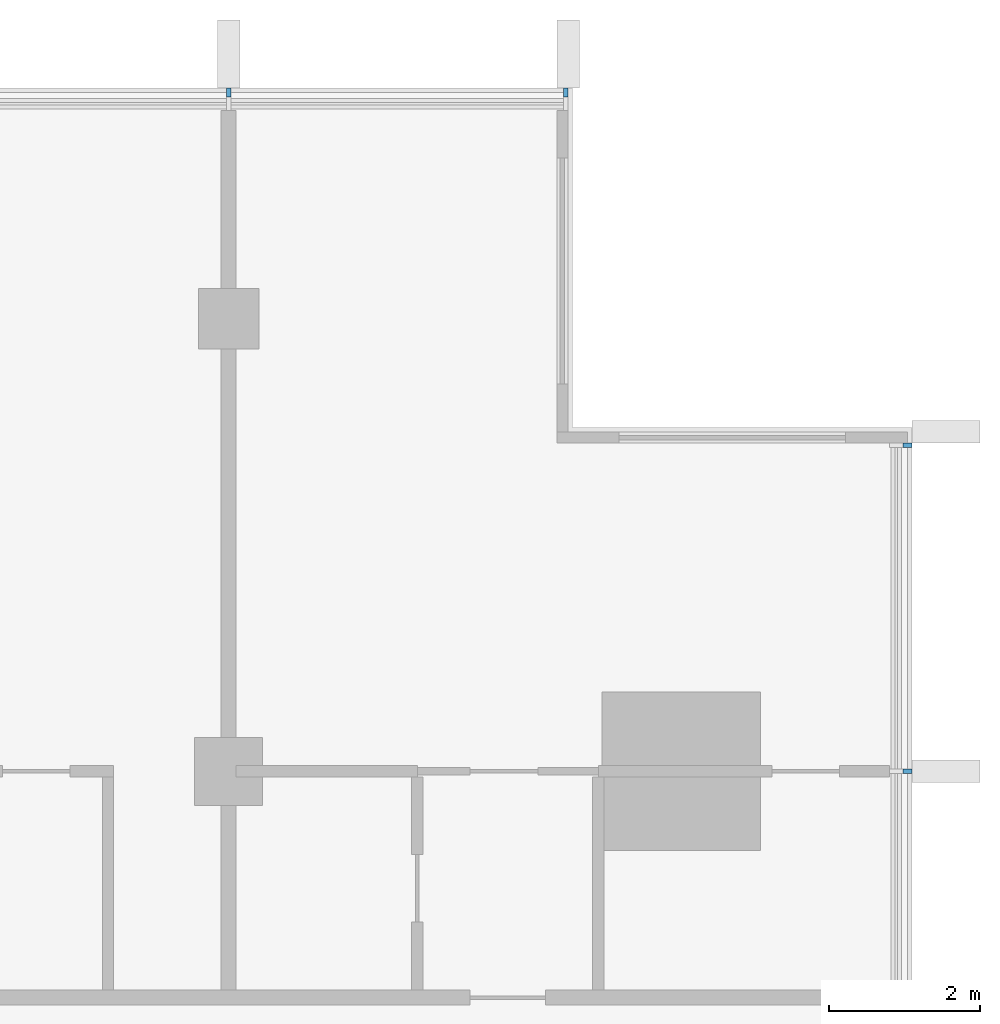
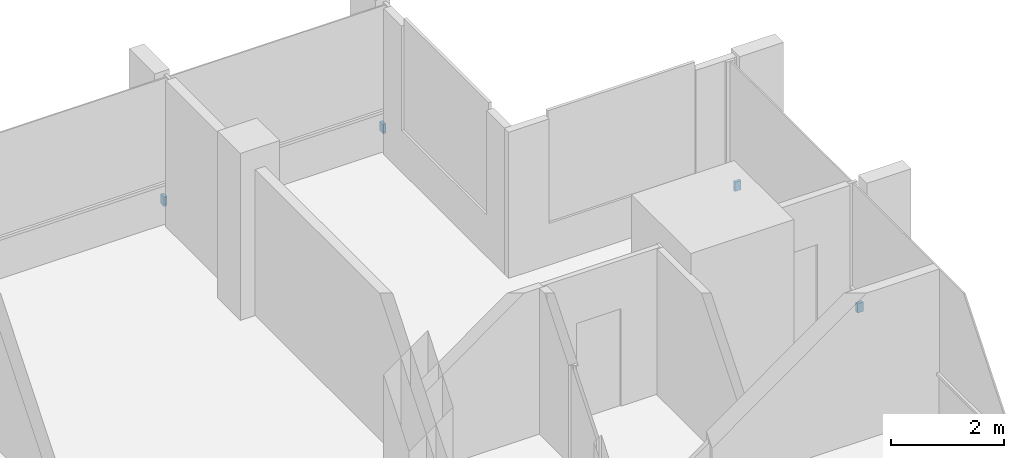
# One storey, part 15 of 16: 4 discrete accessories.
"""IFC4 building model written with IfcOpenShell, lengths in metres."""

from ifc_helpers import new_model, si_unit, direction, frame, origin, origin_2d, place, context, subcontext, project, spatial, rectangle, extrude, material, type_object, element, save


model = new_model("IFC4")

# Units and contexts
model_context = context("Model", 3, precision=1e-05, world=origin(), true_north=direction((0.0, 1.0)))
body_context = subcontext(model_context, "Body", "Model", "MODEL_VIEW")
ifc_project = project(units=[si_unit("LENGTHUNIT", "METRE"), si_unit("AREAUNIT", "SQUARE_METRE"), si_unit("VOLUMEUNIT", "CUBIC_METRE"), si_unit("PLANEANGLEUNIT", "RADIAN"), si_unit("MASSUNIT", "GRAM", prefix="KILO")], contexts=[model_context])

# Site, building, storey
site_placement = place(None, origin())
site = spatial("IfcSite", under=ifc_project, at=site_placement, CompositionType="ELEMENT")
building_placement = place(site_placement, origin())
building = spatial("IfcBuilding", under=site, at=building_placement, Name="Finial Court Residences", CompositionType="ELEMENT")
storey_placement = place(building_placement, frame((0.0, 0.0, 244.699951171875)))
storey = spatial("IfcBuildingStorey", under=building, at=storey_placement, Name="L62", CompositionType="ELEMENT", Elevation=244.699951171875)

# Discrete accessories
ifc_material = material(Name="Stainless steel 316", Category="steel")
discrete_accessory_type = type_object("IfcDiscreteAccessoryType", Name="Fin bracket, stainless steel 60 x 122 x 200", PredefinedType="BRACKET", material=ifc_material)
for number, where, z_axis, x_axis, name in (
    (1, (10.5, 16.498779296875, 0.30029296875), (0.0, 0.0, 1.0), (1.0, 0.0, 0.0), "E-L62-FIN-N5-BRK"),
    (2, (14.969970703125, 16.498779296875, 0.30029296875), (0.0, 0.0, 1.0), (1.0, 0.0, 0.0), "E-L62-FIN-N6-BRK"),
):
    element("IfcDiscreteAccessory", number, at=place(storey_placement, frame(where, z_axis=z_axis, x_axis=x_axis)), inside=storey, type_object=discrete_accessory_type, Name=name, PredefinedType="BRACKET", context=body_context, shape_type="SweptSolid", body=[
        extrude(rectangle(XDim=0.06005859375, YDim=0.12255859375, at=origin_2d()), origin(), (0.0, 0.0, 1.0), 0.199951171875),
    ])
for number, where, z_axis, x_axis, name in (
    (3, (19.498779296875, 7.5, 0.30029296875), (0.0, 0.0, 1.0), (1.0, 0.0, 0.0), "E-L62-FIN-E11-BRK"),
    (4, (19.498779296875, 11.820068359375, 0.30029296875), (0.0, 0.0, 1.0), (1.0, 0.0, 0.0), "E-L62-FIN-E12-BRK"),
):
    element("IfcDiscreteAccessory", number, at=place(storey_placement, frame(where, z_axis=z_axis, x_axis=x_axis)), inside=storey, type_object=discrete_accessory_type, Name=name, PredefinedType="BRACKET", context=body_context, shape_type="SweptSolid", body=[
        extrude(rectangle(XDim=0.12255859375, YDim=0.06005859375, at=origin_2d()), origin(), (0.0, 0.0, 1.0), 0.199951171875),
    ])

save(model, "model.ifc")
